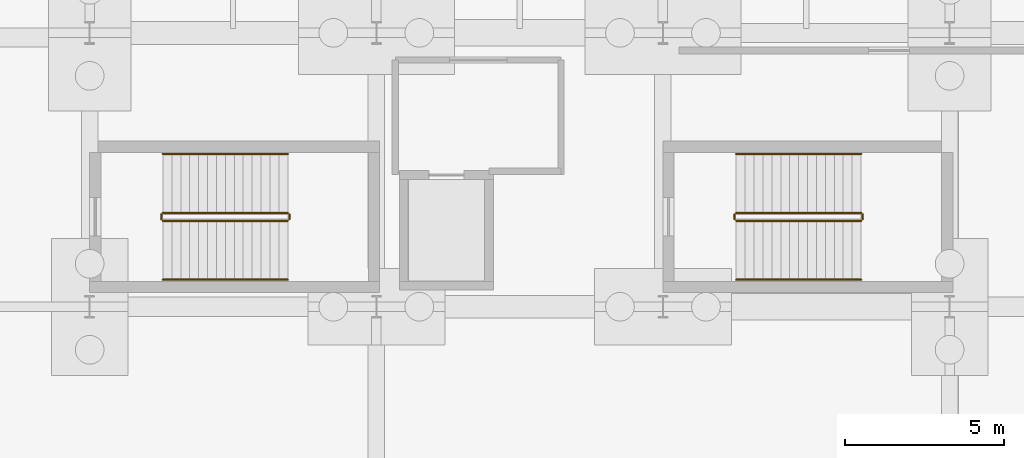
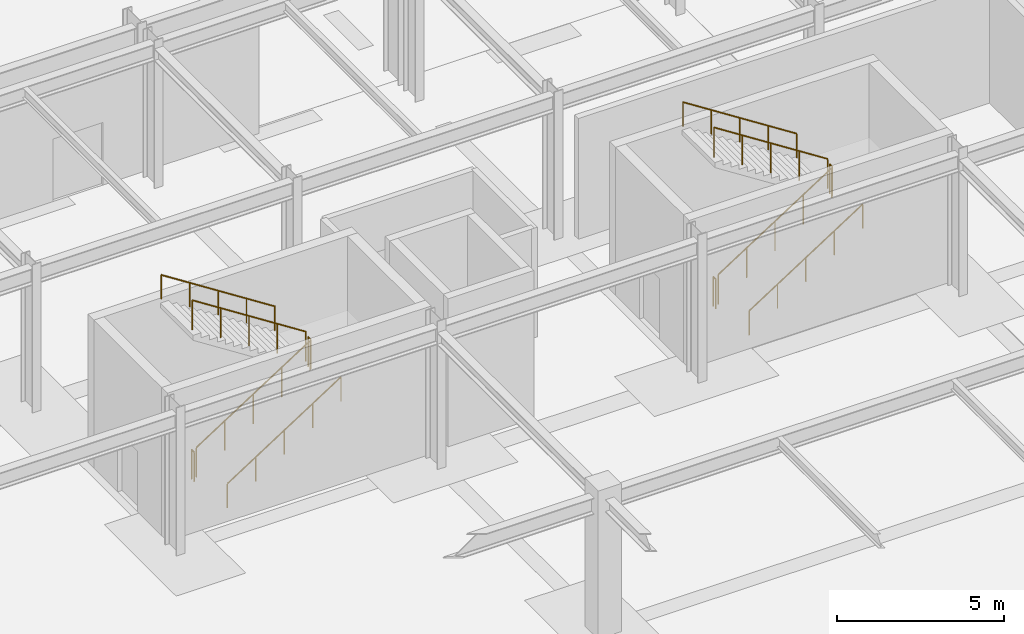
# One storey, part 57 of 65: 12 railings.
"""IFC4 building model written with IfcOpenShell, lengths in metres."""

from ifc_helpers import new_model, si_unit, direction, frame, origin, origin_2d, place, context, subcontext, project, spatial, circle, extrude, material, type_object, element, save


model = new_model("IFC4")

# Units and contexts
model_context = context("Model", 3, precision=1e-05, world=origin(), true_north=direction((0.0, 1.0)))
body_context = subcontext(model_context, "Body", "Model", "MODEL_VIEW")
ifc_project = project(units=[si_unit("LENGTHUNIT", "METRE"), si_unit("AREAUNIT", "SQUARE_METRE"), si_unit("VOLUMEUNIT", "CUBIC_METRE"), si_unit("PLANEANGLEUNIT", "RADIAN"), si_unit("MASSUNIT", "GRAM", prefix="KILO")], contexts=[model_context])

# Site, building, storey
site_placement = place(None, origin())
site = spatial("IfcSite", under=ifc_project, at=site_placement, CompositionType="ELEMENT")
building_placement = place(site_placement, origin())
building = spatial("IfcBuilding", under=site, at=building_placement, Name="Kaldris Quays Convention Centre", CompositionType="ELEMENT")
storey_placement = place(building_placement, frame((0.0, 0.0, -5.39990234375)))
storey = spatial("IfcBuildingStorey", under=building, at=storey_placement, Name="B1", CompositionType="ELEMENT", Elevation=-5.39990234375)

# Railings
ifc_material_1 = material(Name="Steel S355J2", Category="steel")
railing_type_1 = type_object("IfcRailingType", Name="INTERIOR GUARDRAIL GR01", PredefinedType="GUARDRAIL", material=ifc_material_1)
railing_1_placement = place(storey_placement, frame((94.300048828125, 40.699951171875, 0.179931640625)))
element("IfcRailing", 1, at=railing_1_placement, inside=storey, type_object=railing_type_1, Name="B1 ST11 Stair Guardrail 1", PredefinedType="GUARDRAIL", context=body_context, shape_type="SweptSolid", body=[
    extrude(circle(Radius=0.02392578125, at=origin_2d()), frame((0.0, 0.0, 1.076171875), z_axis=(0.841171666519, 0.0, 0.540768182723), x_axis=(0.0, 1.0, 0.0)), (0.0, 0.0, 1.0), 4.66015625),
    extrude(circle(Radius=0.02099609375, at=origin_2d()), origin(), (0.0, 0.0, 1.0), 1.052001953125),
    extrude(circle(Radius=0.02099609375, at=origin_2d()), frame((0.97998046875, 0.0, 0.6298828125)), (0.0, 0.0, 1.0), 1.052001953125),
    extrude(circle(Radius=0.02099609375, at=origin_2d()), frame((1.9599609375, 0.0, 1.260009765625)), (0.0, 0.0, 1.0), 1.052001953125),
    extrude(circle(Radius=0.02099609375, at=origin_2d()), frame((2.93994140625, 0.0, 1.89013671875)), (0.0, 0.0, 1.0), 1.052001953125),
    extrude(circle(Radius=0.02099609375, at=origin_2d()), frame((3.919921875, 0.0, 2.52001953125)), (0.0, 0.0, 1.0), 1.052001953125),
])
railing_2_placement = place(storey_placement, frame((98.27001953125, 40.75, 2.699951171875)))
element("IfcRailing", 2, at=railing_2_placement, inside=storey, type_object=railing_type_1, Name="B1 ST11 Stair Guardrail 2", PredefinedType="GUARDRAIL", context=body_context, shape_type="SweptSolid", body=[
    extrude(circle(Radius=0.02392578125, at=origin_2d()), frame((0.0, 0.0, 1.076171875), z_axis=(0.0, 1.0, 0.0), x_axis=(-1.0, 0.0, 0.0)), (0.0, 0.0, 1.0), 0.14990234375),
    extrude(circle(Radius=0.02099609375, at=origin_2d()), origin(), (0.0, 0.0, 1.0), 1.052001953125),
    extrude(circle(Radius=0.02099609375, at=origin_2d()), frame((0.0, 0.14990234375, 0.0)), (0.0, 0.0, 1.0), 1.052001953125),
])
railing_3_placement = place(storey_placement, frame((98.219970703125, 40.949951171875, 2.8798828125)))
element("IfcRailing", 3, at=railing_3_placement, inside=storey, type_object=railing_type_1, Name="B1 ST11 Stair Guardrail 3", PredefinedType="GUARDRAIL", context=body_context, shape_type="SweptSolid", body=[
    extrude(circle(Radius=0.02392578125, at=origin_2d()), frame((0.0, 0.0, 1.076171875), z_axis=(-0.841171666519, 0.0, 0.540768182723), x_axis=(0.0, -1.0, 0.0)), (0.0, 0.0, 1.0), 4.66015625),
    extrude(circle(Radius=0.02099609375, at=origin_2d()), origin(), (0.0, 0.0, 1.0), 1.052001953125),
    extrude(circle(Radius=0.02099609375, at=origin_2d()), frame((-0.97998046875, 0.0, 0.6298828125)), (0.0, 0.0, 1.0), 1.052001953125),
    extrude(circle(Radius=0.02099609375, at=origin_2d()), frame((-1.9599609375, 0.0, 1.260009765625)), (0.0, 0.0, 1.0), 1.052001953125),
    extrude(circle(Radius=0.02099609375, at=origin_2d()), frame((-2.93994140625, 0.0, 1.89013671875)), (0.0, 0.0, 1.0), 1.052001953125),
    extrude(circle(Radius=0.02099609375, at=origin_2d()), frame((-3.919921875, 0.0, 2.52001953125)), (0.0, 0.0, 1.0), 1.052001953125),
])
railing_4_placement = place(storey_placement, frame((94.25, 40.75, 0.0)))
element("IfcRailing", 4, at=railing_4_placement, inside=storey, type_object=railing_type_1, Name="B1 ST11 Stair Guardrail 4", PredefinedType="GUARDRAIL", context=body_context, shape_type="SweptSolid", body=[
    extrude(circle(Radius=0.02392578125, at=origin_2d()), frame((0.0, 0.0, 1.076171875), z_axis=(0.0, 1.0, 0.0), x_axis=(-1.0, 0.0, 0.0)), (0.0, 0.0, 1.0), 0.14990234375),
    extrude(circle(Radius=0.02099609375, at=origin_2d()), origin(), (0.0, 0.0, 1.0), 1.052001953125),
    extrude(circle(Radius=0.02099609375, at=origin_2d()), frame((0.0, 0.14990234375, 0.0)), (0.0, 0.0, 1.0), 1.052001953125),
])
railing_5_placement = place(storey_placement, frame((112.300048828125, 40.699951171875, 0.179931640625)))
element("IfcRailing", 5, at=railing_5_placement, inside=storey, type_object=railing_type_1, Name="B1 ST13 Stair Guardrail 1", PredefinedType="GUARDRAIL", context=body_context, shape_type="SweptSolid", body=[
    extrude(circle(Radius=0.02392578125, at=origin_2d()), frame((0.0, 0.0, 1.076171875), z_axis=(0.841171666519, 0.0, 0.540768182723), x_axis=(0.0, 1.0, 0.0)), (0.0, 0.0, 1.0), 4.66015625),
    extrude(circle(Radius=0.02099609375, at=origin_2d()), origin(), (0.0, 0.0, 1.0), 1.052001953125),
    extrude(circle(Radius=0.02099609375, at=origin_2d()), frame((0.97998046875, 0.0, 0.6298828125)), (0.0, 0.0, 1.0), 1.052001953125),
    extrude(circle(Radius=0.02099609375, at=origin_2d()), frame((1.9599609375, 0.0, 1.260009765625)), (0.0, 0.0, 1.0), 1.052001953125),
    extrude(circle(Radius=0.02099609375, at=origin_2d()), frame((2.93994140625, 0.0, 1.89013671875)), (0.0, 0.0, 1.0), 1.052001953125),
    extrude(circle(Radius=0.02099609375, at=origin_2d()), frame((3.919921875, 0.0, 2.52001953125)), (0.0, 0.0, 1.0), 1.052001953125),
])
railing_6_placement = place(storey_placement, frame((116.27001953125, 40.75, 2.699951171875)))
element("IfcRailing", 6, at=railing_6_placement, inside=storey, type_object=railing_type_1, Name="B1 ST13 Stair Guardrail 2", PredefinedType="GUARDRAIL", context=body_context, shape_type="SweptSolid", body=[
    extrude(circle(Radius=0.02392578125, at=origin_2d()), frame((0.0, 0.0, 1.076171875), z_axis=(0.0, 1.0, 0.0), x_axis=(-1.0, 0.0, 0.0)), (0.0, 0.0, 1.0), 0.14990234375),
    extrude(circle(Radius=0.02099609375, at=origin_2d()), origin(), (0.0, 0.0, 1.0), 1.052001953125),
    extrude(circle(Radius=0.02099609375, at=origin_2d()), frame((0.0, 0.14990234375, 0.0)), (0.0, 0.0, 1.0), 1.052001953125),
])
railing_7_placement = place(storey_placement, frame((116.219970703125, 40.949951171875, 2.8798828125)))
element("IfcRailing", 7, at=railing_7_placement, inside=storey, type_object=railing_type_1, Name="B1 ST13 Stair Guardrail 3", PredefinedType="GUARDRAIL", context=body_context, shape_type="SweptSolid", body=[
    extrude(circle(Radius=0.02392578125, at=origin_2d()), frame((0.0, 0.0, 1.076171875), z_axis=(-0.841171666519, 0.0, 0.540768182723), x_axis=(0.0, -1.0, 0.0)), (0.0, 0.0, 1.0), 4.66015625),
    extrude(circle(Radius=0.02099609375, at=origin_2d()), origin(), (0.0, 0.0, 1.0), 1.052001953125),
    extrude(circle(Radius=0.02099609375, at=origin_2d()), frame((-0.97998046875, 0.0, 0.6298828125)), (0.0, 0.0, 1.0), 1.052001953125),
    extrude(circle(Radius=0.02099609375, at=origin_2d()), frame((-1.9599609375, 0.0, 1.260009765625)), (0.0, 0.0, 1.0), 1.052001953125),
    extrude(circle(Radius=0.02099609375, at=origin_2d()), frame((-2.93994140625, 0.0, 1.89013671875)), (0.0, 0.0, 1.0), 1.052001953125),
    extrude(circle(Radius=0.02099609375, at=origin_2d()), frame((-3.919921875, 0.0, 2.52001953125)), (0.0, 0.0, 1.0), 1.052001953125),
])
railing_8_placement = place(storey_placement, frame((112.25, 40.75, 0.0)))
element("IfcRailing", 8, at=railing_8_placement, inside=storey, type_object=railing_type_1, Name="B1 ST13 Stair Guardrail 4", PredefinedType="GUARDRAIL", context=body_context, shape_type="SweptSolid", body=[
    extrude(circle(Radius=0.02392578125, at=origin_2d()), frame((0.0, 0.0, 1.076171875), z_axis=(0.0, 1.0, 0.0), x_axis=(-1.0, 0.0, 0.0)), (0.0, 0.0, 1.0), 0.14990234375),
    extrude(circle(Radius=0.02099609375, at=origin_2d()), origin(), (0.0, 0.0, 1.0), 1.052001953125),
    extrude(circle(Radius=0.02099609375, at=origin_2d()), frame((0.0, 0.14990234375, 0.0)), (0.0, 0.0, 1.0), 1.052001953125),
])
ifc_material_2 = material(Name="Stainless steel 1.4301", Category="steel")
railing_type_2 = type_object("IfcRailingType", Name="STAIR HANDRAIL HR01", PredefinedType="HANDRAIL", material=ifc_material_2)
railing_9_placement = place(storey_placement, frame((94.300048828125, 38.85009765625, 0.179931640625)))
element("IfcRailing", 9, at=railing_9_placement, inside=storey, type_object=railing_type_2, Name="B1 ST11 Flight Handrail 1", PredefinedType="HANDRAIL", context=body_context, shape_type="SweptSolid", body=[
    extrude(circle(Radius=0.02392578125, at=origin_2d()), frame((0.0, 0.0, 0.8759765625), z_axis=(0.841171666519, 0.0, 0.540768182723), x_axis=(0.0, 1.0, 0.0)), (0.0, 0.0, 1.0), 4.66015625),
    extrude(circle(Radius=0.02099609375, at=origin_2d()), origin(), (0.0, 0.0, 1.0), 0.851806640625),
    extrude(circle(Radius=0.02099609375, at=origin_2d()), frame((0.97998046875, 0.0, 0.6298828125)), (0.0, 0.0, 1.0), 0.851806640625),
    extrude(circle(Radius=0.02099609375, at=origin_2d()), frame((1.9599609375, 0.0, 1.260009765625)), (0.0, 0.0, 1.0), 0.851806640625),
    extrude(circle(Radius=0.02099609375, at=origin_2d()), frame((2.93994140625, 0.0, 1.89013671875)), (0.0, 0.0, 1.0), 0.851806640625),
    extrude(circle(Radius=0.02099609375, at=origin_2d()), frame((3.919921875, 0.0, 2.52001953125)), (0.0, 0.0, 1.0), 0.851806640625),
])
railing_10_placement = place(storey_placement, frame((98.219970703125, 42.800048828125, 2.8798828125)))
element("IfcRailing", 10, at=railing_10_placement, inside=storey, type_object=railing_type_2, Name="B1 ST11 Flight Handrail 2", PredefinedType="HANDRAIL", context=body_context, shape_type="SweptSolid", body=[
    extrude(circle(Radius=0.02392578125, at=origin_2d()), frame((0.0, 0.0, 0.8759765625), z_axis=(-0.841171666519, 0.0, 0.540768182723), x_axis=(0.0, -1.0, 0.0)), (0.0, 0.0, 1.0), 4.66015625),
    extrude(circle(Radius=0.02099609375, at=origin_2d()), origin(), (0.0, 0.0, 1.0), 0.851806640625),
    extrude(circle(Radius=0.02099609375, at=origin_2d()), frame((-0.97998046875, 0.0, 0.6298828125)), (0.0, 0.0, 1.0), 0.851806640625),
    extrude(circle(Radius=0.02099609375, at=origin_2d()), frame((-1.9599609375, 0.0, 1.260009765625)), (0.0, 0.0, 1.0), 0.851806640625),
    extrude(circle(Radius=0.02099609375, at=origin_2d()), frame((-2.93994140625, 0.0, 1.89013671875)), (0.0, 0.0, 1.0), 0.851806640625),
    extrude(circle(Radius=0.02099609375, at=origin_2d()), frame((-3.919921875, 0.0, 2.52001953125)), (0.0, 0.0, 1.0), 0.851806640625),
])
railing_11_placement = place(storey_placement, frame((112.300048828125, 38.85009765625, 0.179931640625)))
element("IfcRailing", 11, at=railing_11_placement, inside=storey, type_object=railing_type_2, Name="B1 ST13 Flight Handrail 1", PredefinedType="HANDRAIL", context=body_context, shape_type="SweptSolid", body=[
    extrude(circle(Radius=0.02392578125, at=origin_2d()), frame((0.0, 0.0, 0.8759765625), z_axis=(0.841171666519, 0.0, 0.540768182723), x_axis=(0.0, 1.0, 0.0)), (0.0, 0.0, 1.0), 4.66015625),
    extrude(circle(Radius=0.02099609375, at=origin_2d()), origin(), (0.0, 0.0, 1.0), 0.851806640625),
    extrude(circle(Radius=0.02099609375, at=origin_2d()), frame((0.97998046875, 0.0, 0.6298828125)), (0.0, 0.0, 1.0), 0.851806640625),
    extrude(circle(Radius=0.02099609375, at=origin_2d()), frame((1.9599609375, 0.0, 1.260009765625)), (0.0, 0.0, 1.0), 0.851806640625),
    extrude(circle(Radius=0.02099609375, at=origin_2d()), frame((2.93994140625, 0.0, 1.89013671875)), (0.0, 0.0, 1.0), 0.851806640625),
    extrude(circle(Radius=0.02099609375, at=origin_2d()), frame((3.919921875, 0.0, 2.52001953125)), (0.0, 0.0, 1.0), 0.851806640625),
])
railing_12_placement = place(storey_placement, frame((116.219970703125, 42.800048828125, 2.8798828125)))
element("IfcRailing", 12, at=railing_12_placement, inside=storey, type_object=railing_type_2, Name="B1 ST13 Flight Handrail 2", PredefinedType="HANDRAIL", context=body_context, shape_type="SweptSolid", body=[
    extrude(circle(Radius=0.02392578125, at=origin_2d()), frame((0.0, 0.0, 0.8759765625), z_axis=(-0.841171666519, 0.0, 0.540768182723), x_axis=(0.0, -1.0, 0.0)), (0.0, 0.0, 1.0), 4.66015625),
    extrude(circle(Radius=0.02099609375, at=origin_2d()), origin(), (0.0, 0.0, 1.0), 0.851806640625),
    extrude(circle(Radius=0.02099609375, at=origin_2d()), frame((-0.97998046875, 0.0, 0.6298828125)), (0.0, 0.0, 1.0), 0.851806640625),
    extrude(circle(Radius=0.02099609375, at=origin_2d()), frame((-1.9599609375, 0.0, 1.260009765625)), (0.0, 0.0, 1.0), 0.851806640625),
    extrude(circle(Radius=0.02099609375, at=origin_2d()), frame((-2.93994140625, 0.0, 1.89013671875)), (0.0, 0.0, 1.0), 0.851806640625),
    extrude(circle(Radius=0.02099609375, at=origin_2d()), frame((-3.919921875, 0.0, 2.52001953125)), (0.0, 0.0, 1.0), 0.851806640625),
])

save(model, "model.ifc")
